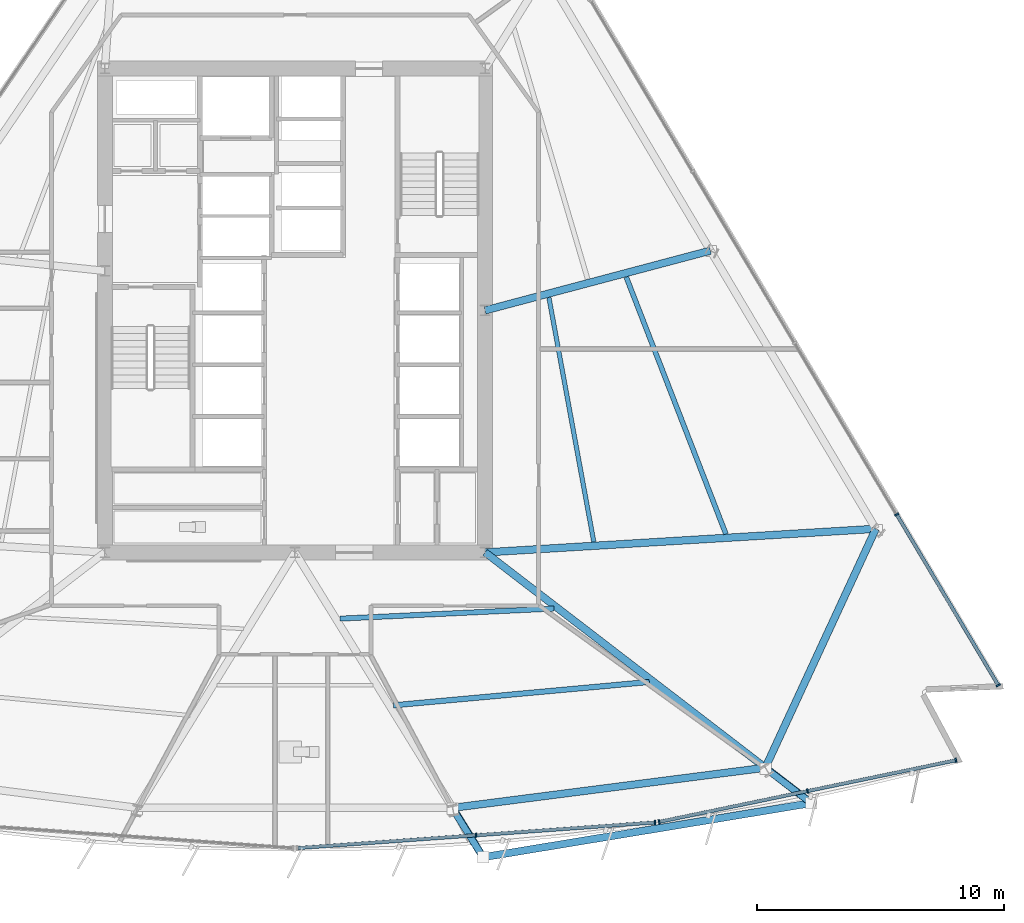
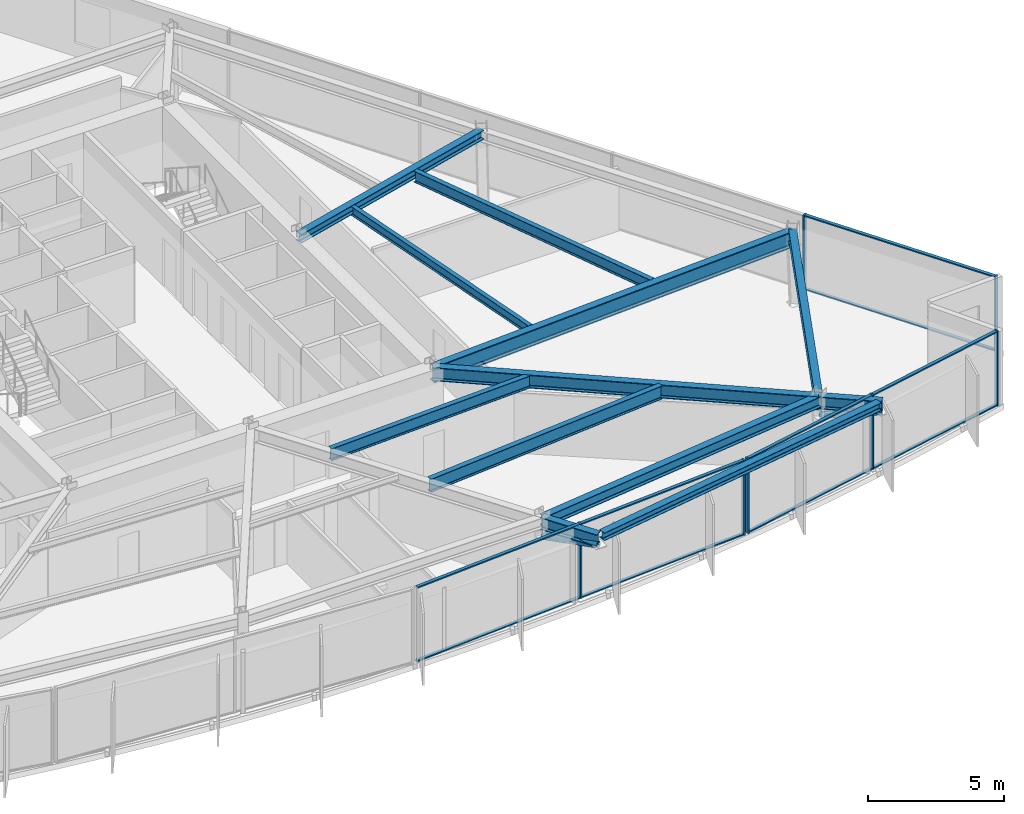
# One storey, part 4 of 15: 19 members, 12 beams, 3 elements without a shape of their own.
"""IFC4 building model written with IfcOpenShell, lengths in metres."""

import ifcopenshell
import ifcopenshell.guid

model = None  # the IFC model being written
_history = None  # IfcOwnerHistory: only IFC2X3 demands one
_inside = {}  # id of a spatial element -> (the spatial element, [elements in it])
_under = {}  # id of a project, library or spatial element -> (it, [spatial elements below it])
_declared = {}  # id of a project -> (the project, [libraries it declares])
_typed = {}  # id of a type object -> (the type object, [elements of that type])
_made_of = {}  # id of a material, layer set ... -> (it, [elements and type objects made of it])


def new_model(schema):
    """Start an empty IFC model of exactly this schema.

    Asked for "IFC4X3", IfcOpenShell would pick the latest addendum, in which some entities
    have other attributes; the version numbers below select the first issue.
    IFC2X3 requires an IfcOwnerHistory on every rooted entity: one is made here for all.
    """
    global model, _history
    if schema == "IFC4X3":
        model = ifcopenshell.file(schema_version=(4, 3, 0, 0))
    else:
        model = ifcopenshell.file(schema=schema)
    _inside.clear()
    _under.clear()
    _declared.clear()
    _typed.clear()
    _made_of.clear()
    _history = None
    if model.schema == "IFC2X3":
        org = make("IfcOrganization", Name="unknown")
        user = make(
            "IfcPersonAndOrganization",
            ThePerson=make("IfcPerson", FamilyName="unknown"),
            TheOrganization=org,
        )
        app = make(
            "IfcApplication",
            ApplicationDeveloper=org,
            Version="unknown",
            ApplicationFullName="unknown",
            ApplicationIdentifier="unknown",
        )
        _history = make(
            "IfcOwnerHistory",
            OwningUser=user,
            OwningApplication=app,
            ChangeAction="ADDED",
            CreationDate=0,
        )
    return model


def make(cls, **values):
    """One entity of the class cls with the attributes given. An attribute that is None is left unset."""
    return model.create_entity(
        cls, **{name: value for name, value in values.items() if value is not None}
    )


def rooted(cls, **values):
    """An entity with a GlobalId (a new one), such as an element, a storey or a relation."""
    return make(cls, GlobalId=ifcopenshell.guid.new(), OwnerHistory=_history, **values)


def si_unit(unit_type, name, prefix=None):
    """IfcSIUnit, for example si_unit("LENGTHUNIT", "METRE", prefix="MILLI")."""
    return make("IfcSIUnit", UnitType=unit_type, Prefix=prefix, Name=name)


def assignment(units):
    """IfcUnitAssignment: the units of a project."""
    return None if units is None else make("IfcUnitAssignment", Units=units)


def point(xyz):
    """IfcCartesianPoint."""
    return None if xyz is None else make("IfcCartesianPoint", Coordinates=xyz)


def direction(xyz):
    """IfcDirection."""
    return None if xyz is None else make("IfcDirection", DirectionRatios=xyz)


def frame(location, z_axis=None, x_axis=None):
    """IfcAxis2Placement3D, a coordinate frame: its origin and axes. An axis left out is left unset."""
    return make(
        "IfcAxis2Placement3D",
        Location=point(location),
        Axis=direction(z_axis),
        RefDirection=direction(x_axis),
    )


def frame_2d(location, x_axis=None):
    """IfcAxis2Placement2D, a coordinate frame in the plane: its origin and x axis."""
    return make(
        "IfcAxis2Placement2D", Location=point(location), RefDirection=direction(x_axis)
    )


def origin():
    """The frame at (0, 0, 0) with its axes left unset."""
    return frame((0.0, 0.0, 0.0))


def origin_2d():
    """The frame at (0, 0) in the plane with its x axis left unset."""
    return frame_2d((0.0, 0.0))


def place(relative_to, where):
    """IfcLocalPlacement: puts the frame where relative to a parent placement (None: the world)."""
    return make(
        "IfcLocalPlacement", PlacementRelTo=relative_to, RelativePlacement=where
    )


def context(
    kind, dimensions, precision=None, world=None, true_north=None, identifier=None
):
    """IfcGeometricRepresentationContext, for example the 3D "Model" context."""
    return make(
        "IfcGeometricRepresentationContext",
        ContextIdentifier=identifier,
        ContextType=kind,
        CoordinateSpaceDimension=dimensions,
        Precision=precision,
        WorldCoordinateSystem=world,
        TrueNorth=true_north,
    )


def subcontext(parent, identifier, kind, view, scale=None):
    """IfcGeometricRepresentationSubContext, for example "Body" below "Model"."""
    return make(
        "IfcGeometricRepresentationSubContext",
        ContextIdentifier=identifier,
        ContextType=kind,
        ParentContext=parent,
        TargetScale=scale,
        TargetView=view,
    )


def project(units=None, contexts=None):
    """IfcProject with its units and contexts."""
    return rooted(
        "IfcProject",
        Name="project",
        RepresentationContexts=contexts,
        UnitsInContext=assignment(units),
    )


def spatial(cls, under=None, at=None, **own):
    """A site, building, storey or space (cls), placed at a placement, below another one or the project."""
    s = rooted(cls, ObjectPlacement=at, **own)
    if under is not None:
        _under.setdefault(under.id(), (under, []))[1].append(s)
    return s


def profile(cls, at=None, kind="AREA", **sizes):
    """A parametric profile (cls). Its sizes go by their IFC names, for example OverallWidth=200.0."""
    return make(cls, ProfileType=kind, Position=at, **sizes)


def rectangle(**sizes):
    """IfcRectangleProfileDef."""
    return profile("IfcRectangleProfileDef", **sizes)


def hollow_circle(**sizes):
    """IfcCircleHollowProfileDef."""
    return profile("IfcCircleHollowProfileDef", **sizes)


def i_section(**sizes):
    """IfcIShapeProfileDef."""
    return profile("IfcIShapeProfileDef", **sizes)


def extrude(swept, where, along, depth):
    """IfcExtrudedAreaSolid: the profile swept, set in the frame where, extruded along a direction by depth."""
    return make(
        "IfcExtrudedAreaSolid",
        SweptArea=swept,
        Position=where,
        ExtrudedDirection=direction(along),
        Depth=depth,
    )


def shape(context_of_items, identifier, shape_type, items):
    """IfcShapeRepresentation: the items that make up one representation, for example the "Body"."""
    return make(
        "IfcShapeRepresentation",
        ContextOfItems=context_of_items,
        RepresentationIdentifier=identifier,
        RepresentationType=shape_type,
        Items=items,
    )


def material(Name=None, Category=None):
    """IfcMaterial."""
    return make("IfcMaterial", Name=Name, Category=Category)


def material_profile(
    of_material, cross_section, Name=None, Category=None, Priority=None
):
    """IfcMaterialProfile: a cross section and its material."""
    return make(
        "IfcMaterialProfile",
        Name=Name,
        Material=of_material,
        Profile=cross_section,
        Priority=Priority,
        Category=Category,
    )


def profile_set(profiles, Name=None, composite=None):
    """IfcMaterialProfileSet."""
    return make(
        "IfcMaterialProfileSet",
        Name=Name,
        MaterialProfiles=profiles,
        CompositeProfile=composite,
    )


def made_of(thing, what):
    """Note that an element or type object is made of a material, layer set ...; save() writes the relation."""
    if what is not None:
        _made_of.setdefault(what.id(), (what, []))[1].append(thing)
    return thing


def type_object(cls, material=None, **own):
    """A type object (cls), such as IfcWallType, which elements share."""
    return made_of(rooted(cls, **own), material)


def element(
    cls,
    number,
    at=None,
    inside=None,
    cuts=None,
    type_object=None,
    material=None,
    context=None,
    identifier="Body",
    shape_type=None,
    held_by="IfcProductDefinitionShape",
    body=None,
    shapes=None,
    **own,
):
    """One element of the class cls, such as IfcWall. Its Tag is "e" and its number.

    at: its placement. inside: the storey or other place that contains it. cuts: it is an
    opening in that element (IfcRelVoidsElement). A single representation is given by context,
    identifier, shape_type and body (its items); several are given by shapes. held_by: the class
    of the entity that holds the representations. save() writes the other relations.
    """
    e = rooted(cls, Tag="e%d" % number, ObjectPlacement=at, **own)
    if body is not None:
        shapes = [shape(context, identifier, shape_type, body)]
    if shapes is not None:
        e.Representation = make(held_by, Representations=shapes)
    if inside is not None:
        _inside.setdefault(inside.id(), (inside, []))[1].append(e)
    if cuts is not None:
        rooted(
            "IfcRelVoidsElement", RelatingBuildingElement=cuts, RelatedOpeningElement=e
        )
    if type_object is not None:
        _typed.setdefault(type_object.id(), (type_object, []))[1].append(e)
    return made_of(e, material)


def aggregate(whole, parts):
    """IfcRelAggregates: a whole, such as a stair, and the parts it consists of."""
    return rooted("IfcRelAggregates", RelatingObject=whole, RelatedObjects=parts)


def save(model, path):
    """Write the relations noted so far, then the file.

    IfcRelAggregates (storeys below a building ...), IfcRelContainedInSpatialStructure (elements
    in a storey), IfcRelDefinesByType, IfcRelAssociatesMaterial and IfcRelDeclares: one each for
    every whole, place, type object, material and project.
    """
    for whole, parts in _under.values():
        aggregate(whole, parts)
    for where, things in _inside.values():
        rooted(
            "IfcRelContainedInSpatialStructure",
            RelatedElements=things,
            RelatingStructure=where,
        )
    for kind, things in _typed.values():
        rooted("IfcRelDefinesByType", RelatedObjects=things, RelatingType=kind)
    for what, things in _made_of.values():
        rooted("IfcRelAssociatesMaterial", RelatedObjects=things, RelatingMaterial=what)
    for by, libraries in _declared.values():
        rooted("IfcRelDeclares", RelatingContext=by, RelatedDefinitions=libraries)
    model.write(path)


model = new_model("IFC4")

# Units and contexts
model_context = context("Model", 3, precision=1e-05, world=origin(), true_north=direction((0.0, 1.0)))
body_context = subcontext(model_context, "Body", "Model", "MODEL_VIEW")
ifc_project = project(units=[si_unit("LENGTHUNIT", "METRE"), si_unit("AREAUNIT", "SQUARE_METRE"), si_unit("VOLUMEUNIT", "CUBIC_METRE"), si_unit("PLANEANGLEUNIT", "RADIAN"), si_unit("MASSUNIT", "GRAM", prefix="KILO")], contexts=[model_context])

# Site, building, storey
site_placement = place(None, origin())
site = spatial("IfcSite", under=ifc_project, at=site_placement, CompositionType="ELEMENT")
building_placement = place(site_placement, origin())
building = spatial("IfcBuilding", under=site, at=building_placement, Name="Savorim Split Tower", CompositionType="ELEMENT")
storey_placement = place(building_placement, frame((0.0, 0.0, 89.699951171875)))
storey = spatial("IfcBuildingStorey", under=building, at=storey_placement, Name="L23", CompositionType="ELEMENT", Elevation=89.699951171875)

# Beams
ifc_material_1 = material(Name="Steel S355", Category="steel")
ifc_material_profile_1 = material_profile(ifc_material_1, i_section(OverallWidth=0.179931640625, OverallDepth=0.39990234375, WebThickness=0.008544921875, FlangeThickness=0.013427734375, FilletRadius=0.02099609375, at=origin_2d()), Name="IPE 400")
ifc_profile_set_1 = profile_set([ifc_material_profile_1], Name="Steel S355")
beam_type_1 = type_object("IfcBeamType", Name="BM-JST-IPE400", PredefinedType="JOIST", material=ifc_profile_set_1)
beam_1_placement = place(storey_placement, frame((12.10107421875, -8.974853515625, 3.150146484375), z_axis=(-0.180663976197, 0.983544878338, 0.0), x_axis=(-0.983544878338, -0.180663976197, 0.0)))
element("IfcBeam", 1, at=beam_1_placement, inside=storey, type_object=beam_type_1, Name="L23 Secondary Floor Joist JS-08", PredefinedType="JOIST", context=body_context, shape_type="SweptSolid", body=[
    extrude(i_section(OverallWidth=0.179931640625, OverallDepth=0.39990234375, WebThickness=0.008544921875, FlangeThickness=0.013427734375, FilletRadius=0.02099609375, at=origin_2d()), origin(), (0.0, 0.0, 1.0), 10.060791015625),
])
ifc_material_profile_2 = material_profile(ifc_material_1, i_section(OverallWidth=0.199951171875, OverallDepth=0.5, WebThickness=0.01025390625, FlangeThickness=0.01611328125, FilletRadius=0.02099609375, at=origin_2d()), Name="IPE 500")
ifc_profile_set_2 = profile_set([ifc_material_profile_2], Name="Steel S355")
beam_type_2 = type_object("IfcBeamType", Name="BM-JST-IPE500", PredefinedType="JOIST", material=ifc_profile_set_2)
beam_2_placement = place(storey_placement, frame((17.451416015625, -8.658203125, 3.10009765625), z_axis=(-0.361575568051, 0.932342806369, 0.0), x_axis=(-0.932342806369, -0.361575568051, 0.0)))
element("IfcBeam", 2, at=beam_2_placement, inside=storey, type_object=beam_type_2, Name="L23 Secondary Floor Joist JS-06", PredefinedType="JOIST", context=body_context, shape_type="SweptSolid", body=[
    extrude(i_section(OverallWidth=0.199951171875, OverallDepth=0.5, WebThickness=0.01025390625, FlangeThickness=0.01611328125, FilletRadius=0.02099609375, at=origin_2d()), origin(), (0.0, 0.0, 1.0), 11.165283203125),
])
ifc_material_profile_3 = material_profile(ifc_material_1, i_section(OverallWidth=0.2099609375, OverallDepth=0.550048828125, WebThickness=0.010986328125, FlangeThickness=0.01708984375, FilletRadius=0.02392578125, at=origin_2d()), Name="IPE 550")
ifc_profile_set_3 = profile_set([ifc_material_profile_3], Name="Steel S355")
beam_type_3 = type_object("IfcBeamType", Name="BM-JST-IPE550", PredefinedType="JOIST", material=ifc_profile_set_3)
beam_3_placement = place(storey_placement, frame((1.819580078125, -12.082275390625, 3.074951171875), z_axis=(0.998896339706, 0.046969165652, 0.0), x_axis=(-0.046969165652, 0.998896339706, 0.0)))
element("IfcBeam", 3, at=beam_3_placement, inside=storey, type_object=beam_type_3, Name="L23 Secondary Floor Joist JS-05", PredefinedType="JOIST", context=body_context, shape_type="SweptSolid", body=[
    extrude(i_section(OverallWidth=0.2099609375, OverallDepth=0.550048828125, WebThickness=0.010986328125, FlangeThickness=0.01708984375, FilletRadius=0.02392578125, at=origin_2d()), origin(), (0.0, 0.0, 1.0), 8.680419921875),
])
ifc_material_profile_4 = material_profile(ifc_material_1, i_section(OverallWidth=0.219970703125, OverallDepth=0.60009765625, WebThickness=0.011962890625, FlangeThickness=0.01904296875, FilletRadius=0.02392578125, at=origin_2d()), Name="IPE 600")
ifc_profile_set_4 = profile_set([ifc_material_profile_4], Name="Steel S355")
beam_type_4 = type_object("IfcBeamType", Name="BM-JST-IPE600", PredefinedType="JOIST", material=ifc_profile_set_4)
beam_4_placement = place(storey_placement, frame((3.989501953125, -15.592529296875, 3.050048828125), z_axis=(0.995854063186, 0.090965294674, 0.0), x_axis=(-0.090965294674, 0.995854063186, 0.0)))
element("IfcBeam", 4, at=beam_4_placement, inside=storey, type_object=beam_type_4, Name="L23 Secondary Floor Joist JS-04", PredefinedType="JOIST", context=body_context, shape_type="SweptSolid", body=[
    extrude(i_section(OverallWidth=0.219970703125, OverallDepth=0.60009765625, WebThickness=0.011962890625, FlangeThickness=0.01904296875, FilletRadius=0.02392578125, at=origin_2d()), origin(), (0.0, 0.0, 1.0), 10.40283203125),
])
ifc_material_profile_5 = material_profile(ifc_material_1, i_section(OverallWidth=0.300048828125, OverallDepth=0.39990234375, WebThickness=0.013427734375, FlangeThickness=0.02392578125, FilletRadius=0.027099609375, at=origin_2d()), Name="HEB 400")
ifc_profile_set_5 = profile_set([ifc_material_profile_5], Name="Steel S355")
beam_type_5 = type_object("IfcBeamType", Name="BM-PRI-HEB400", PredefinedType="BEAM", material=ifc_profile_set_5)
beam_5_placement = place(storey_placement, frame((16.8232421875, 2.82080078125, 3.150146484375), z_axis=(-0.966550174285, -0.25647760251, 0.0), x_axis=(0.25647760251, -0.966550174285, 0.0)))
element("IfcBeam", 5, at=beam_5_placement, inside=storey, type_object=beam_type_5, Name="L23 Primary Floor Girder RG-06", PredefinedType="BEAM", context=body_context, shape_type="SweptSolid", body=[
    extrude(i_section(OverallWidth=0.300048828125, OverallDepth=0.39990234375, WebThickness=0.013427734375, FlangeThickness=0.02392578125, FilletRadius=0.027099609375, at=origin_2d()), origin(), (0.0, 0.0, 1.0), 9.43896484375),
])
ifc_material_profile_6 = material_profile(ifc_material_1, i_section(OverallWidth=0.300048828125, OverallDepth=0.550048828125, WebThickness=0.014892578125, FlangeThickness=0.029052734375, FilletRadius=0.027099609375, at=origin_2d()), Name="HEB 550")
ifc_profile_set_6 = profile_set([ifc_material_profile_6], Name="Steel S355")
beam_type_6 = type_object("IfcBeamType", Name="BM-PRI-HEB550", PredefinedType="BEAM", material=ifc_profile_set_6)
beam_6_placement = place(storey_placement, frame((6.3837890625, -19.7451171875, 3.074951171875), z_axis=(0.525134541028, -0.851019220593, 0.0), x_axis=(0.851019220593, 0.525134541028, 0.0)))
element("IfcBeam", 6, at=beam_6_placement, inside=storey, type_object=beam_type_6, Name="L23 Cantilevered Lounge Rib 1", PredefinedType="BEAM", context=body_context, shape_type="SweptSolid", body=[
    extrude(i_section(OverallWidth=0.300048828125, OverallDepth=0.550048828125, WebThickness=0.014892578125, FlangeThickness=0.029052734375, FilletRadius=0.027099609375, at=origin_2d()), origin(), (0.0, 0.0, 1.0), 2.35009765625),
])
beam_7_placement = place(storey_placement, frame((19.04736328125, -18.119384765625, 3.074951171875), z_axis=(0.792913564952, -0.609334127155, 0.0), x_axis=(0.609334127155, 0.792913564952, 0.0)))
element("IfcBeam", 7, at=beam_7_placement, inside=storey, type_object=beam_type_6, Name="L23 Cantilevered Lounge Rib 2", PredefinedType="BEAM", context=body_context, shape_type="SweptSolid", body=[
    extrude(i_section(OverallWidth=0.300048828125, OverallDepth=0.550048828125, WebThickness=0.014892578125, FlangeThickness=0.029052734375, FilletRadius=0.027099609375, at=origin_2d()), origin(), (0.0, 0.0, 1.0), 2.349853515625),
])
ifc_material_profile_7 = material_profile(ifc_material_1, i_section(OverallWidth=0.300048828125, OverallDepth=0.60009765625, WebThickness=0.015380859375, FlangeThickness=0.030029296875, FilletRadius=0.027099609375, at=origin_2d()), Name="HEB 600")
ifc_profile_set_7 = profile_set([ifc_material_profile_7], Name="Steel S355")
beam_type_7 = type_object("IfcBeamType", Name="BM-PRI-HEB600", PredefinedType="BEAM", material=ifc_profile_set_7)
beam_8_placement = place(storey_placement, frame((19.04736328125, -18.119384765625, 3.050048828125), z_axis=(-0.792937815813, 0.609302568725, 0.0), x_axis=(-0.609302568725, -0.792937815813, 0.0)))
element("IfcBeam", 8, at=beam_8_placement, inside=storey, type_object=beam_type_7, Name="L23 Primary Floor Girder RG-04", PredefinedType="BEAM", context=body_context, shape_type="SweptSolid", body=[
    extrude(i_section(OverallWidth=0.300048828125, OverallDepth=0.60009765625, WebThickness=0.015380859375, FlangeThickness=0.030029296875, FilletRadius=0.027099609375, at=origin_2d()), origin(), (0.0, 0.0, 1.0), 14.310546875),
])
ifc_material_2 = material(Name="Steel S460", Category="steel")
ifc_material_profile_8 = material_profile(ifc_material_2, i_section(OverallWidth=0.303955078125, OverallDepth=0.716064453125, WebThickness=0.02099609375, FlangeThickness=0.0400390625, FilletRadius=0.027099609375, at=origin_2d()), Name="HE 700 M")
ifc_profile_set_8 = profile_set([ifc_material_profile_8], Name="Steel S460")
beam_type_8 = type_object("IfcBeamType", Name="BM-PRI-HEM700", PredefinedType="BEAM", material=ifc_profile_set_8)
beam_9_placement = place(storey_placement, frame((23.521484375, -8.444091796875, 2.991943359375), z_axis=(-0.998180174539, -0.060302065941, 0.0), x_axis=(0.060302065941, -0.998180174539, 0.0)))
element("IfcBeam", 9, at=beam_9_placement, inside=storey, type_object=beam_type_8, Name="L23 Primary Floor Girder RG-05", PredefinedType="BEAM", context=body_context, shape_type="SweptSolid", body=[
    extrude(i_section(OverallWidth=0.303955078125, OverallDepth=0.716064453125, WebThickness=0.02099609375, FlangeThickness=0.0400390625, FilletRadius=0.027099609375, at=origin_2d()), origin(), (0.0, 0.0, 1.0), 15.850341796875),
])
ifc_material_profile_9 = material_profile(ifc_material_1, i_section(OverallWidth=0.300048828125, OverallDepth=0.35009765625, WebThickness=0.010009765625, FlangeThickness=0.017578125, FilletRadius=0.027099609375, at=origin_2d()), Name="HEA 360")
ifc_profile_set_9 = profile_set([ifc_material_profile_9], Name="Steel S355")
beam_type_9 = type_object("IfcBeamType", Name="BM-SPN-HEA360", PredefinedType="SPANDREL", material=ifc_profile_set_9)
beam_10_placement = place(storey_placement, frame((7.77587890625, -21.718994140625, 3.175048828125), z_axis=(0.986654057577, 0.162830496737, 0.0), x_axis=(-0.162830496737, 0.986654057577, 0.0)))
element("IfcBeam", 10, at=beam_10_placement, inside=storey, type_object=beam_type_9, Name="L23 Cantilevered Lounge Front Edge Beam", PredefinedType="SPANDREL", context=body_context, shape_type="SweptSolid", body=[
    extrude(i_section(OverallWidth=0.300048828125, OverallDepth=0.35009765625, WebThickness=0.010009765625, FlangeThickness=0.017578125, FilletRadius=0.027099609375, at=origin_2d()), origin(), (0.0, 0.0, 1.0), 13.15234375),
])
ifc_material_profile_10 = material_profile(ifc_material_1, i_section(OverallWidth=0.300048828125, OverallDepth=0.489990234375, WebThickness=0.011962890625, FlangeThickness=0.02294921875, FilletRadius=0.027099609375, at=origin_2d()), Name="HEA 500")
ifc_profile_set_10 = profile_set([ifc_material_profile_10], Name="Steel S355")
beam_type_10 = type_object("IfcBeamType", Name="BM-SPN-HEA500", PredefinedType="SPANDREL", material=ifc_profile_set_10)
beam_11_placement = place(storey_placement, frame((6.3837890625, -19.7451171875, 3.10498046875), z_axis=(0.991859943138, 0.127333629484, 0.0), x_axis=(-0.127333629484, 0.991859943138, 0.0)))
element("IfcBeam", 11, at=beam_11_placement, inside=storey, type_object=beam_type_10, Name="L23 Perimeter Spandrel Beam 3", PredefinedType="SPANDREL", context=body_context, shape_type="SweptSolid", body=[
    extrude(i_section(OverallWidth=0.300048828125, OverallDepth=0.489990234375, WebThickness=0.011962890625, FlangeThickness=0.02294921875, FilletRadius=0.027099609375, at=origin_2d()), origin(), (0.0, 0.0, 1.0), 12.767578125),
])
beam_12_placement = place(storey_placement, frame((19.04736328125, -18.119384765625, 3.10498046875), z_axis=(0.419723262066, 0.907652126798, 0.0), x_axis=(-0.907652126798, 0.419723262066, 0.0)))
element("IfcBeam", 12, at=beam_12_placement, inside=storey, type_object=beam_type_10, Name="L23 Perimeter Spandrel Beam 4", PredefinedType="SPANDREL", context=body_context, shape_type="SweptSolid", body=[
    extrude(i_section(OverallWidth=0.300048828125, OverallDepth=0.489990234375, WebThickness=0.011962890625, FlangeThickness=0.02294921875, FilletRadius=0.027099609375, at=origin_2d()), origin(), (0.0, 0.0, 1.0), 10.65966796875),
])

# Curtain wall, members
ifc_material_3 = material(Name="Dark Ceramic-Fritted Insulated Glass", Category="glass")
curtain_wall_type = type_object("IfcCurtainWallType", Name="CW-TWR-FRIT-A", PredefinedType="NOTDEFINED", material=ifc_material_3)
curtain_wall_1_placement = place(storey_placement, origin())
curtain_wall_1 = element("IfcCurtainWall", 13, at=curtain_wall_1_placement, inside=storey, type_object=curtain_wall_type, Name="L23 Curtain Wall CW-L23-SF3", PredefinedType="NOTDEFINED")
ifc_material_4 = material(Name="Charcoal Anodised Aluminium", Category="aluminium")
ifc_material_profile_11 = material_profile(ifc_material_4, rectangle(XDim=0.179931640625, YDim=0.06494140625, at=origin_2d()), Name="ALU-M 180x65")
ifc_profile_set_11 = profile_set([ifc_material_profile_11], Name="Charcoal Anodised Aluminium")
member_type_1 = type_object("IfcMemberType", Name="CWM-180x65", PredefinedType="MULLION", material=ifc_profile_set_11)
member_1_placement = place(storey_placement, frame((7.33203125, -20.8544921875, 0.0), z_axis=(0.0, 0.0, 1.0), x_axis=(-0.071560540796, 0.997436258114, 0.0)))
member_1 = element("IfcMember", 14, at=member_1_placement, type_object=member_type_1, Name="CW-02 mullion 2", PredefinedType="MULLION", context=body_context, shape_type="SweptSolid", body=[
    extrude(rectangle(XDim=0.179931640625, YDim=0.06494140625, at=origin_2d()), origin(), (0.0, 0.0, 1.0), 3.35009765625),
])
member_2_placement = place(storey_placement, frame((14.580322265625, -20.33447265625, 0.0), z_axis=(0.0, 0.0, 1.0), x_axis=(-0.071560540796, 0.997436258114, 0.0)))
member_2 = element("IfcMember", 15, at=member_2_placement, type_object=member_type_1, Name="CW-02 mullion 3", PredefinedType="MULLION", context=body_context, shape_type="SweptSolid", body=[
    extrude(rectangle(XDim=0.179931640625, YDim=0.06494140625, at=origin_2d()), origin(), (0.0, 0.0, 1.0), 3.35009765625),
])

curtain_wall_2_placement = place(storey_placement, origin())
curtain_wall_2 = element("IfcCurtainWall", 16, at=curtain_wall_2_placement, inside=storey, type_object=curtain_wall_type, Name="L23 Curtain Wall CW-L23-SF4", PredefinedType="NOTDEFINED")
member_3_placement = place(storey_placement, frame((14.747314453125, -20.311279296875, 0.0), z_axis=(0.0, 0.0, 1.0), x_axis=(-0.203210153081, 0.979135145772, 0.0)))
member_3 = element("IfcMember", 17, at=member_3_placement, type_object=member_type_1, Name="CW-02 mullion 1", PredefinedType="MULLION", context=body_context, shape_type="SweptSolid", body=[
    extrude(rectangle(XDim=0.179931640625, YDim=0.06494140625, at=origin_2d()), origin(), (0.0, 0.0, 1.0), 3.35009765625),
])
member_4_placement = place(storey_placement, frame((20.75634765625, -19.064208984375, 0.0), z_axis=(0.0, 0.0, 1.0), x_axis=(-0.203210153081, 0.979135145772, 0.0)))
member_4 = element("IfcMember", 18, at=member_4_placement, type_object=member_type_1, Name="CW-02 mullion 2", PredefinedType="MULLION", context=body_context, shape_type="SweptSolid", body=[
    extrude(rectangle(XDim=0.179931640625, YDim=0.06494140625, at=origin_2d()), origin(), (0.0, 0.0, 1.0), 3.35009765625),
])
member_5_placement = place(storey_placement, frame((26.76513671875, -17.81689453125, 0.0), z_axis=(0.0, 0.0, 1.0), x_axis=(-0.203210153081, 0.979135145772, 0.0)))
member_5 = element("IfcMember", 19, at=member_5_placement, type_object=member_type_1, Name="CW-02 mullion 3", PredefinedType="MULLION", context=body_context, shape_type="SweptSolid", body=[
    extrude(rectangle(XDim=0.179931640625, YDim=0.06494140625, at=origin_2d()), origin(), (0.0, 0.0, 1.0), 3.35009765625),
])

curtain_wall_3_placement = place(storey_placement, origin())
curtain_wall_3 = element("IfcCurtainWall", 20, at=curtain_wall_3_placement, inside=storey, type_object=curtain_wall_type, Name="L23 Curtain Wall CW-L23-EAST", PredefinedType="NOTDEFINED")
member_6_placement = place(storey_placement, frame((28.480224609375, -14.78173828125, 0.0), z_axis=(0.0, 0.0, 1.0), x_axis=(-0.859524537852, -0.511094481315, 0.0)))
member_6 = element("IfcMember", 21, at=member_6_placement, type_object=member_type_1, Name="CW-02 mullion 1", PredefinedType="MULLION", context=body_context, shape_type="SweptSolid", body=[
    extrude(rectangle(XDim=0.179931640625, YDim=0.06494140625, at=origin_2d()), origin(), (0.0, 0.0, 1.0), 3.35009765625),
])
member_7_placement = place(storey_placement, frame((24.36669921875, -7.864013671875, 0.0), z_axis=(0.0, 0.0, 1.0), x_axis=(-0.859524537852, -0.511094481315, 0.0)))
member_7 = element("IfcMember", 22, at=member_7_placement, type_object=member_type_1, Name="CW-02 mullion 2", PredefinedType="MULLION", context=body_context, shape_type="SweptSolid", body=[
    extrude(rectangle(XDim=0.179931640625, YDim=0.06494140625, at=origin_2d()), origin(), (0.0, 0.0, 1.0), 3.35009765625),
])

# Member
ifc_material_profile_12 = material_profile(ifc_material_4, rectangle(XDim=0.139892578125, YDim=0.054931640625, at=origin_2d()), Name="ALU-T 140x55")
ifc_profile_set_12 = profile_set([ifc_material_profile_12], Name="Charcoal Anodised Aluminium")
member_type_2 = type_object("IfcMemberType", Name="CWT-140x55", PredefinedType="USERDEFINED", material=ifc_profile_set_12)
member_8_placement = place(storey_placement, frame((0.1162109375, -21.3720703125, 0.027587890625), z_axis=(0.997436107345, 0.071562642239, 0.0), x_axis=(-0.071562642239, 0.997436107345, 0.0)))
member_8 = element("IfcMember", 23, at=member_8_placement, type_object=member_type_2, Name="CW-02 transom 1.1", ObjectType="TRANSOM", PredefinedType="USERDEFINED", context=body_context, shape_type="SweptSolid", body=[
    extrude(rectangle(XDim=0.139892578125, YDim=0.054931640625, at=origin_2d()), origin(), (0.0, 0.0, 1.0), 7.201904296875),
])

member_9_placement = place(storey_placement, frame((0.1162109375, -21.3720703125, 3.322509765625), z_axis=(0.997436107345, 0.071562642239, 0.0), x_axis=(-0.071562642239, 0.997436107345, 0.0)))
member_9 = element("IfcMember", 24, at=member_9_placement, type_object=member_type_2, Name="CW-02 transom 1.2", ObjectType="TRANSOM", PredefinedType="USERDEFINED", context=body_context, shape_type="SweptSolid", body=[
    extrude(rectangle(XDim=0.139892578125, YDim=0.054931640625, at=origin_2d()), origin(), (0.0, 0.0, 1.0), 7.201904296875),
])

member_10_placement = place(storey_placement, frame((7.364501953125, -20.85205078125, 0.027587890625), z_axis=(0.997436107345, 0.071562642239, 0.0), x_axis=(-0.071562642239, 0.997436107345, 0.0)))
member_10 = element("IfcMember", 25, at=member_10_placement, type_object=member_type_2, Name="CW-02 transom 2.1", ObjectType="TRANSOM", PredefinedType="USERDEFINED", context=body_context, shape_type="SweptSolid", body=[
    extrude(rectangle(XDim=0.139892578125, YDim=0.054931640625, at=origin_2d()), origin(), (0.0, 0.0, 1.0), 7.201904296875),
])

member_11_placement = place(storey_placement, frame((7.364501953125, -20.85205078125, 3.322509765625), z_axis=(0.997436107345, 0.071562642239, 0.0), x_axis=(-0.071562642239, 0.997436107345, 0.0)))
member_11 = element("IfcMember", 26, at=member_11_placement, type_object=member_type_2, Name="CW-02 transom 2.2", ObjectType="TRANSOM", PredefinedType="USERDEFINED", context=body_context, shape_type="SweptSolid", body=[
    extrude(rectangle(XDim=0.139892578125, YDim=0.054931640625, at=origin_2d()), origin(), (0.0, 0.0, 1.0), 7.201904296875),
])

aggregate(curtain_wall_1, [member_1, member_2, member_8, member_9, member_10, member_11])

member_12_placement = place(storey_placement, frame((14.779052734375, -20.3046875, 0.027587890625), z_axis=(0.97913534694, 0.203209183781, 0.0), x_axis=(-0.203209183781, 0.97913534694, 0.0)))
member_12 = element("IfcMember", 27, at=member_12_placement, type_object=member_type_2, Name="CW-02 transom 1.1", ObjectType="TRANSOM", PredefinedType="USERDEFINED", context=body_context, shape_type="SweptSolid", body=[
    extrude(rectangle(XDim=0.139892578125, YDim=0.054931640625, at=origin_2d()), origin(), (0.0, 0.0, 1.0), 6.072021484375),
])

member_13_placement = place(storey_placement, frame((14.779052734375, -20.3046875, 3.322509765625), z_axis=(0.97913534694, 0.203209183781, 0.0), x_axis=(-0.203209183781, 0.97913534694, 0.0)))
member_13 = element("IfcMember", 28, at=member_13_placement, type_object=member_type_2, Name="CW-02 transom 1.2", ObjectType="TRANSOM", PredefinedType="USERDEFINED", context=body_context, shape_type="SweptSolid", body=[
    extrude(rectangle(XDim=0.139892578125, YDim=0.054931640625, at=origin_2d()), origin(), (0.0, 0.0, 1.0), 6.072021484375),
])

member_14_placement = place(storey_placement, frame((20.7880859375, -19.0576171875, 0.027587890625), z_axis=(0.97913534694, 0.203209183781, 0.0), x_axis=(-0.203209183781, 0.97913534694, 0.0)))
member_14 = element("IfcMember", 29, at=member_14_placement, type_object=member_type_2, Name="CW-02 transom 2.1", ObjectType="TRANSOM", PredefinedType="USERDEFINED", context=body_context, shape_type="SweptSolid", body=[
    extrude(rectangle(XDim=0.139892578125, YDim=0.054931640625, at=origin_2d()), origin(), (0.0, 0.0, 1.0), 6.072021484375),
])

member_15_placement = place(storey_placement, frame((20.7880859375, -19.0576171875, 3.322509765625), z_axis=(0.97913534694, 0.203209183781, 0.0), x_axis=(-0.203209183781, 0.97913534694, 0.0)))
member_15 = element("IfcMember", 30, at=member_15_placement, type_object=member_type_2, Name="CW-02 transom 2.2", ObjectType="TRANSOM", PredefinedType="USERDEFINED", context=body_context, shape_type="SweptSolid", body=[
    extrude(rectangle(XDim=0.139892578125, YDim=0.054931640625, at=origin_2d()), origin(), (0.0, 0.0, 1.0), 6.072021484375),
])

aggregate(curtain_wall_2, [member_3, member_4, member_5, member_12, member_13, member_14, member_15])

member_16_placement = place(storey_placement, frame((28.463623046875, -14.753662109375, 0.027587890625), z_axis=(-0.511105313723, 0.859518096542, 0.0), x_axis=(-0.859518096542, -0.511105313723, 0.0)))
member_16 = element("IfcMember", 31, at=member_16_placement, type_object=member_type_2, Name="CW-02 transom 1.1", ObjectType="TRANSOM", PredefinedType="USERDEFINED", context=body_context, shape_type="SweptSolid", body=[
    extrude(rectangle(XDim=0.139892578125, YDim=0.054931640625, at=origin_2d()), origin(), (0.0, 0.0, 1.0), 7.9833984375),
])

member_17_placement = place(storey_placement, frame((28.463623046875, -14.753662109375, 3.322509765625), z_axis=(-0.511105313723, 0.859518096542, 0.0), x_axis=(-0.859518096542, -0.511105313723, 0.0)))
member_17 = element("IfcMember", 32, at=member_17_placement, type_object=member_type_2, Name="CW-02 transom 1.2", ObjectType="TRANSOM", PredefinedType="USERDEFINED", context=body_context, shape_type="SweptSolid", body=[
    extrude(rectangle(XDim=0.139892578125, YDim=0.054931640625, at=origin_2d()), origin(), (0.0, 0.0, 1.0), 7.9833984375),
])

aggregate(curtain_wall_3, [member_6, member_7, member_16, member_17])

# Members
ifc_material_profile_13 = material_profile(ifc_material_1, hollow_circle(Radius=0.136474609375, WallThickness=0.01611328125, at=origin_2d()), Name="CHS 273x16")
ifc_profile_set_13 = profile_set([ifc_material_profile_13], Name="Steel S355")
member_type_3 = type_object("IfcMemberType", Name="MBR-CRN-CHS273", PredefinedType="BRACE", material=ifc_profile_set_13)
member_18_placement = place(storey_placement, frame((6.3916015625, -19.78564453125, 2.449951171875), z_axis=(0.52383924386, -0.837016478444, 0.158100795081), x_axis=(0.847677739546, 0.530511498348, 0.0)))
element("IfcMember", 33, at=member_18_placement, inside=storey, type_object=member_type_3, Name="L23 Cantilevered Bay Support Strut 1", PredefinedType="BRACE", context=body_context, shape_type="SweptSolid", body=[
    extrude(hollow_circle(Radius=0.136474609375, WallThickness=0.01611328125, at=origin_2d()), origin(), (0.0, 0.0, 1.0), 2.341064453125),
])
member_19_placement = place(storey_placement, frame((19.071044921875, -18.15771484375, 2.449951171875), z_axis=(0.787051970805, -0.596216675428, 0.158350469508), x_axis=(0.603835283511, 0.797109120753, 0.0)))
element("IfcMember", 34, at=member_19_placement, inside=storey, type_object=member_type_3, Name="L23 Cantilevered Bay Support Strut 2", PredefinedType="BRACE", context=body_context, shape_type="SweptSolid", body=[
    extrude(hollow_circle(Radius=0.136474609375, WallThickness=0.01611328125, at=origin_2d()), origin(), (0.0, 0.0, 1.0), 2.33740234375),
])

save(model, "model.ifc")
